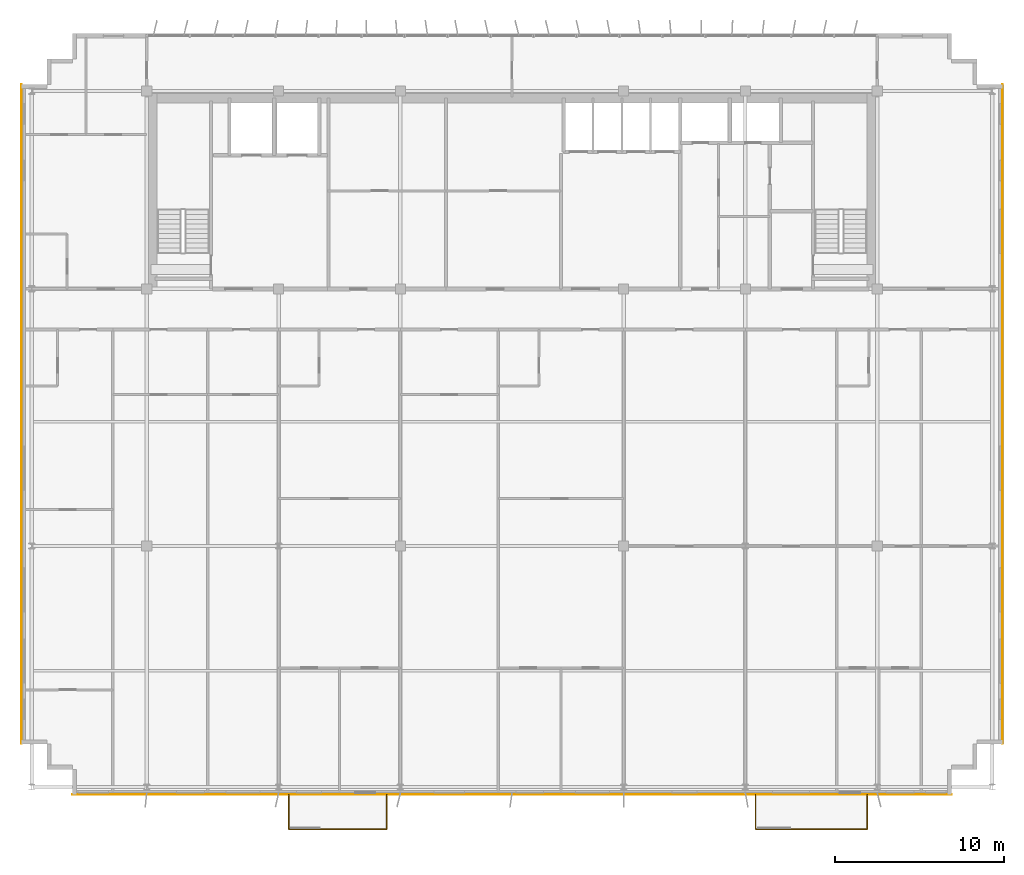
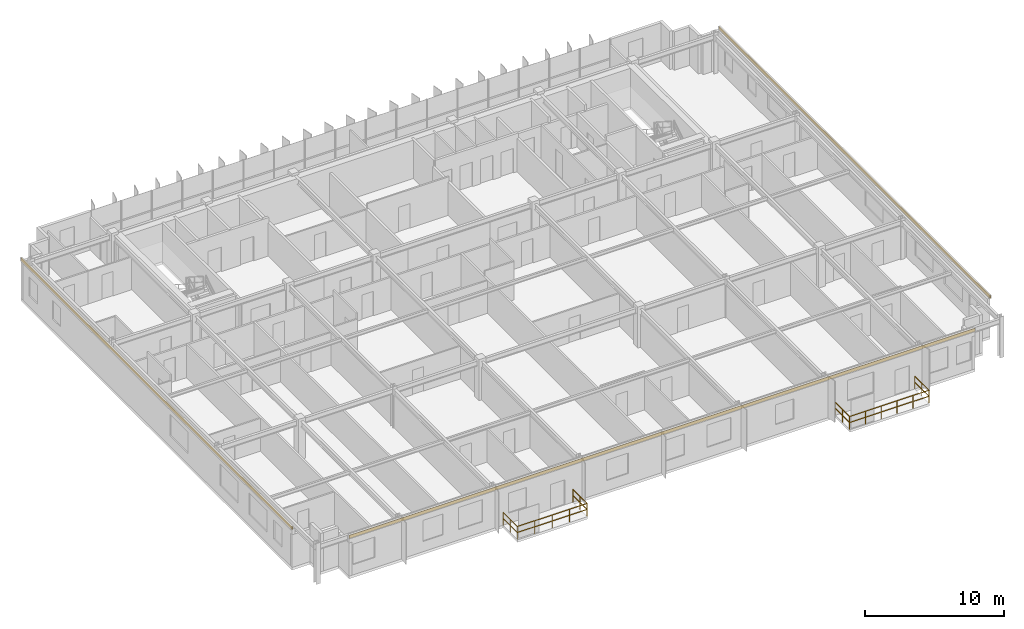
# One storey, part 22 of 23: 6 railings, 3 coverings.
"""IFC4 building model written with IfcOpenShell, lengths in metres."""

from ifc_helpers import new_model, si_unit, direction, frame, origin, origin_2d, place, context, subcontext, project, spatial, rectangle, extrude, source, transform, mapped, material, layer, layer_set, type_object, element, save


model = new_model("IFC4")

# Units and contexts
model_context = context("Model", 3, precision=1e-05, world=origin(), true_north=direction((0.0, 1.0)))
body_context = subcontext(model_context, "Body", "Model", "MODEL_VIEW")
ifc_project = project(units=[si_unit("LENGTHUNIT", "METRE"), si_unit("AREAUNIT", "SQUARE_METRE"), si_unit("VOLUMEUNIT", "CUBIC_METRE"), si_unit("PLANEANGLEUNIT", "RADIAN"), si_unit("MASSUNIT", "GRAM", prefix="KILO")], contexts=[model_context])

# Site, building, storey
site_placement = place(None, origin())
site = spatial("IfcSite", under=ifc_project, at=site_placement, CompositionType="ELEMENT")
building_placement = place(site_placement, origin())
building = spatial("IfcBuilding", under=site, at=building_placement, Name="Trelvane Seafront Commons", CompositionType="ELEMENT")
storey_placement = place(building_placement, frame((0.0, 0.0, 263.10009765625)))
storey = spatial("IfcBuildingStorey", under=building, at=storey_placement, Name="L68", CompositionType="ELEMENT", Elevation=263.10009765625)

# Railings
ifc_material_1 = material(Name="Stainless steel balustrade", Category="steel")
railing_type = type_object("IfcRailingType", Name="ARCH-RAIL-BAL1150", PredefinedType="BALUSTRADE", material=ifc_material_1)
railing_1_placement = place(storey_placement, frame((24.0, 3.5, 0.0)))
element("IfcRailing", 1, at=railing_1_placement, inside=storey, type_object=railing_type, Name="RL-L68-BAL0-01", PredefinedType="BALUSTRADE", context=body_context, shape_type="SweptSolid", body=[
    extrude(rectangle(XDim=0.048095703125, YDim=0.048095703125, at=origin_2d()), frame((0.0, 0.0, 1.1259765625), z_axis=(0.0, -1.0, 0.0), x_axis=(1.0, 0.0, 0.0)), (0.0, 0.0, 1.0), 2.0400390625),
    extrude(rectangle(XDim=0.048095703125, YDim=0.048095703125, at=origin_2d()), frame((0.0, 0.0, 0.597900390625), z_axis=(0.0, -1.0, 0.0), x_axis=(1.0, 0.0, 0.0)), (0.0, 0.0, 1.0), 2.0400390625),
    extrude(rectangle(XDim=0.0419921875, YDim=0.0419921875, at=origin_2d()), origin(), (0.0, 0.0, 1.0), 1.1259765625),
    extrude(rectangle(XDim=0.0419921875, YDim=0.0419921875, at=origin_2d()), frame((0.0, -1.02001953125, 0.0)), (0.0, 0.0, 1.0), 1.1259765625),
    extrude(rectangle(XDim=0.0419921875, YDim=0.0419921875, at=origin_2d()), frame((0.0, -2.0400390625, 0.0)), (0.0, 0.0, 1.0), 1.1259765625),
])
railing_2_placement = place(storey_placement, frame((24.0, 1.4599609375, 0.0)))
element("IfcRailing", 2, at=railing_2_placement, inside=storey, type_object=railing_type, Name="RL-L68-BAL0-02", PredefinedType="BALUSTRADE", context=body_context, shape_type="SweptSolid", body=[
    extrude(rectangle(XDim=0.048095703125, YDim=0.048095703125, at=origin_2d()), frame((0.0, 0.0, 1.1259765625), z_axis=(1.0, 0.0, 0.0), x_axis=(0.0, 1.0, 0.0)), (0.0, 0.0, 1.0), 5.800048828125),
    extrude(rectangle(XDim=0.048095703125, YDim=0.048095703125, at=origin_2d()), frame((0.0, 0.0, 0.597900390625), z_axis=(1.0, 0.0, 0.0), x_axis=(0.0, 1.0, 0.0)), (0.0, 0.0, 1.0), 5.800048828125),
    extrude(rectangle(XDim=0.0419921875, YDim=0.0419921875, at=origin_2d()), origin(), (0.0, 0.0, 1.0), 1.1259765625),
    extrude(rectangle(XDim=0.0419921875, YDim=0.0419921875, at=origin_2d()), frame((1.449951171875, 0.0, 0.0)), (0.0, 0.0, 1.0), 1.1259765625),
    extrude(rectangle(XDim=0.0419921875, YDim=0.0419921875, at=origin_2d()), frame((2.89990234375, 0.0, 0.0)), (0.0, 0.0, 1.0), 1.1259765625),
    extrude(rectangle(XDim=0.0419921875, YDim=0.0419921875, at=origin_2d()), frame((4.35009765625, 0.0, 0.0)), (0.0, 0.0, 1.0), 1.1259765625),
    extrude(rectangle(XDim=0.0419921875, YDim=0.0419921875, at=origin_2d()), frame((5.800048828125, 0.0, 0.0)), (0.0, 0.0, 1.0), 1.1259765625),
])
railing_3_placement = place(storey_placement, frame((29.800048828125, 1.4599609375, 0.0)))
element("IfcRailing", 3, at=railing_3_placement, inside=storey, type_object=railing_type, Name="RL-L68-BAL0-03", PredefinedType="BALUSTRADE", context=body_context, shape_type="SweptSolid", body=[
    extrude(rectangle(XDim=0.048095703125, YDim=0.048095703125, at=origin_2d()), frame((0.0, 0.0, 1.1259765625), z_axis=(0.0, 1.0, 0.0), x_axis=(-1.0, 0.0, 0.0)), (0.0, 0.0, 1.0), 2.0400390625),
    extrude(rectangle(XDim=0.048095703125, YDim=0.048095703125, at=origin_2d()), frame((0.0, 0.0, 0.597900390625), z_axis=(0.0, 1.0, 0.0), x_axis=(-1.0, 0.0, 0.0)), (0.0, 0.0, 1.0), 2.0400390625),
    extrude(rectangle(XDim=0.0419921875, YDim=0.0419921875, at=origin_2d()), origin(), (0.0, 0.0, 1.0), 1.1259765625),
    extrude(rectangle(XDim=0.0419921875, YDim=0.0419921875, at=origin_2d()), frame((0.0, 1.02001953125, 0.0)), (0.0, 0.0, 1.0), 1.1259765625),
    extrude(rectangle(XDim=0.0419921875, YDim=0.0419921875, at=origin_2d()), frame((0.0, 2.0400390625, 0.0)), (0.0, 0.0, 1.0), 1.1259765625),
])
railing_4_placement = place(storey_placement, frame((51.60009765625, 3.5, 0.0)))
element("IfcRailing", 4, at=railing_4_placement, inside=storey, type_object=railing_type, Name="RL-L68-BAL1-01", PredefinedType="BALUSTRADE", context=body_context, shape_type="SweptSolid", body=[
    extrude(rectangle(XDim=0.048095703125, YDim=0.048095703125, at=origin_2d()), frame((0.0, 0.0, 1.1259765625), z_axis=(0.0, -1.0, 0.0), x_axis=(1.0, 0.0, 0.0)), (0.0, 0.0, 1.0), 2.0400390625),
    extrude(rectangle(XDim=0.048095703125, YDim=0.048095703125, at=origin_2d()), frame((0.0, 0.0, 0.597900390625), z_axis=(0.0, -1.0, 0.0), x_axis=(1.0, 0.0, 0.0)), (0.0, 0.0, 1.0), 2.0400390625),
    extrude(rectangle(XDim=0.0419921875, YDim=0.0419921875, at=origin_2d()), origin(), (0.0, 0.0, 1.0), 1.1259765625),
    extrude(rectangle(XDim=0.0419921875, YDim=0.0419921875, at=origin_2d()), frame((0.0, -1.02001953125, 0.0)), (0.0, 0.0, 1.0), 1.1259765625),
    extrude(rectangle(XDim=0.0419921875, YDim=0.0419921875, at=origin_2d()), frame((0.0, -2.0400390625, 0.0)), (0.0, 0.0, 1.0), 1.1259765625),
])
railing_5_placement = place(storey_placement, frame((51.60009765625, 1.4599609375, 0.0)))
element("IfcRailing", 5, at=railing_5_placement, inside=storey, type_object=railing_type, Name="RL-L68-BAL1-02", PredefinedType="BALUSTRADE", context=body_context, shape_type="SweptSolid", body=[
    extrude(rectangle(XDim=0.048095703125, YDim=0.048095703125, at=origin_2d()), frame((0.0, 0.0, 1.1259765625), z_axis=(1.0, 0.0, 0.0), x_axis=(0.0, 1.0, 0.0)), (0.0, 0.0, 1.0), 6.599853515625),
    extrude(rectangle(XDim=0.048095703125, YDim=0.048095703125, at=origin_2d()), frame((0.0, 0.0, 0.597900390625), z_axis=(1.0, 0.0, 0.0), x_axis=(0.0, 1.0, 0.0)), (0.0, 0.0, 1.0), 6.599853515625),
    extrude(rectangle(XDim=0.0419921875, YDim=0.0419921875, at=origin_2d()), origin(), (0.0, 0.0, 1.0), 1.1259765625),
    extrude(rectangle(XDim=0.0419921875, YDim=0.0419921875, at=origin_2d()), frame((1.320068359375, 0.0, 0.0)), (0.0, 0.0, 1.0), 1.1259765625),
    extrude(rectangle(XDim=0.0419921875, YDim=0.0419921875, at=origin_2d()), frame((2.639892578125, 0.0, 0.0)), (0.0, 0.0, 1.0), 1.1259765625),
    extrude(rectangle(XDim=0.0419921875, YDim=0.0419921875, at=origin_2d()), frame((3.9599609375, 0.0, 0.0)), (0.0, 0.0, 1.0), 1.1259765625),
    extrude(rectangle(XDim=0.0419921875, YDim=0.0419921875, at=origin_2d()), frame((5.27978515625, 0.0, 0.0)), (0.0, 0.0, 1.0), 1.1259765625),
    extrude(rectangle(XDim=0.0419921875, YDim=0.0419921875, at=origin_2d()), frame((6.599853515625, 0.0, 0.0)), (0.0, 0.0, 1.0), 1.1259765625),
])
railing_6_placement = place(storey_placement, frame((58.199951171875, 1.4599609375, 0.0)))
element("IfcRailing", 6, at=railing_6_placement, inside=storey, type_object=railing_type, Name="RL-L68-BAL1-03", PredefinedType="BALUSTRADE", context=body_context, shape_type="SweptSolid", body=[
    extrude(rectangle(XDim=0.048095703125, YDim=0.048095703125, at=origin_2d()), frame((0.0, 0.0, 1.1259765625), z_axis=(0.0, 1.0, 0.0), x_axis=(-1.0, 0.0, 0.0)), (0.0, 0.0, 1.0), 2.0400390625),
    extrude(rectangle(XDim=0.048095703125, YDim=0.048095703125, at=origin_2d()), frame((0.0, 0.0, 0.597900390625), z_axis=(0.0, 1.0, 0.0), x_axis=(-1.0, 0.0, 0.0)), (0.0, 0.0, 1.0), 2.0400390625),
    extrude(rectangle(XDim=0.0419921875, YDim=0.0419921875, at=origin_2d()), origin(), (0.0, 0.0, 1.0), 1.1259765625),
    extrude(rectangle(XDim=0.0419921875, YDim=0.0419921875, at=origin_2d()), frame((0.0, 1.02001953125, 0.0)), (0.0, 0.0, 1.0), 1.1259765625),
    extrude(rectangle(XDim=0.0419921875, YDim=0.0419921875, at=origin_2d()), frame((0.0, 2.0400390625, 0.0)), (0.0, 0.0, 1.0), 1.1259765625),
])

# Coverings
ifc_material_2 = material(Name="Anodised pale-silver aluminium", Category="aluminium")
ifc_layer = layer(ifc_material_2, 0.034912109375, Name="ARCH-COV-CLAD35")
ifc_layer_set = layer_set([ifc_layer], Name="Anodised pale-silver aluminium")
covering_type = type_object("IfcCoveringType", Name="ARCH-COV-CLAD35", PredefinedType="CLADDING", material=ifc_layer_set)
shared_shape_1 = source(origin(), body_context, "Body", "SweptSolid", [
    extrude(rectangle(XDim=39.0, YDim=0.034912109375, at=origin_2d()), origin(), (0.0, 0.0, 1.0), 0.27001953125),
])
for number, where, z_axis, x_axis, name in (
    (7, (8.199951171875, 26.0, 3.329833984375), (0.0, 0.0, 1.0), (0.0, 1.0, 0.0), "CLD-L68-00275"),
    (8, (66.199951171875, 26.0, 3.329833984375), (0.0, 0.0, 1.0), (0.0, -1.0, 0.0), "CLD-L68-00276"),
):
    element("IfcCovering", number, at=place(storey_placement, frame(where, z_axis=z_axis, x_axis=x_axis)), inside=storey, type_object=covering_type, Name=name, PredefinedType="CLADDING", context=body_context, shape_type="MappedRepresentation", body=[
        mapped(shared_shape_1, transform((0.0, 0.0, 0.0), x_axis=(1.0, 0.0, 0.0), y_axis=(0.0, 1.0, 0.0), z_axis=(0.0, 0.0, 1.0), scale=1.0)),
    ])
shared_shape_2 = source(origin(), body_context, "Body", "SweptSolid", [
    extrude(rectangle(XDim=52.0, YDim=0.034912109375, at=origin_2d()), origin(), (0.0, 0.0, 1.0), 0.27001953125),
])
covering_placement = place(storey_placement, frame((37.199951171875, 3.5, 3.329833984375), z_axis=(0.0, 0.0, 1.0), x_axis=(-1.0, 0.0, 0.0)))
element("IfcCovering", 9, at=covering_placement, inside=storey, type_object=covering_type, Name="CLD-L68-00277", PredefinedType="CLADDING", context=body_context, shape_type="MappedRepresentation", body=[
    mapped(shared_shape_2, transform((0.0, 0.0, 0.0), x_axis=(1.0, 0.0, 0.0), y_axis=(0.0, 1.0, 0.0), z_axis=(0.0, 0.0, 1.0), scale=1.0)),
])

save(model, "model.ifc")
